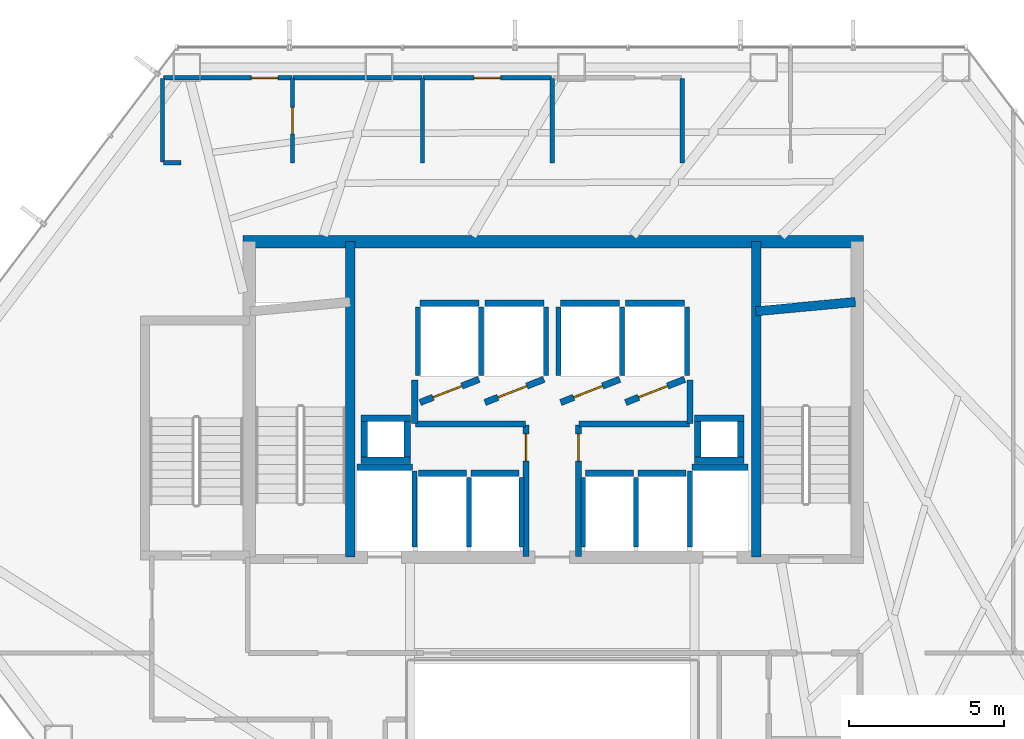
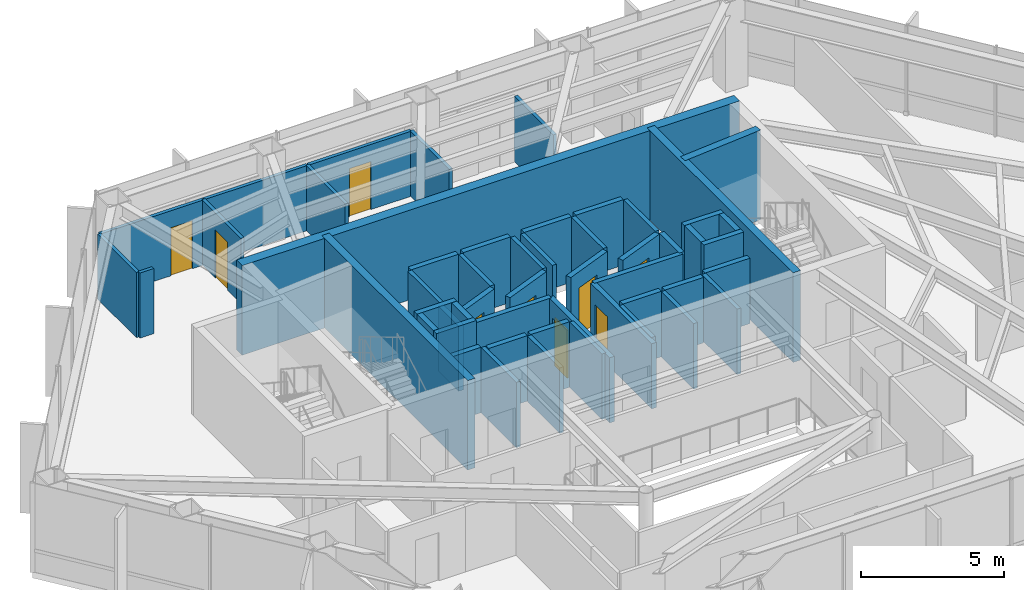
# One storey, part 22 of 24: 53 walls, 9 doors, 9 openings.
"""IFC4 building model written with IfcOpenShell, lengths in metres."""

import ifcopenshell
import ifcopenshell.guid

model = None  # the IFC model being written
_history = None  # IfcOwnerHistory: only IFC2X3 demands one
_inside = {}  # id of a spatial element -> (the spatial element, [elements in it])
_under = {}  # id of a project, library or spatial element -> (it, [spatial elements below it])
_declared = {}  # id of a project -> (the project, [libraries it declares])
_typed = {}  # id of a type object -> (the type object, [elements of that type])
_made_of = {}  # id of a material, layer set ... -> (it, [elements and type objects made of it])


def new_model(schema):
    """Start an empty IFC model of exactly this schema.

    Asked for "IFC4X3", IfcOpenShell would pick the latest addendum, in which some entities
    have other attributes; the version numbers below select the first issue.
    IFC2X3 requires an IfcOwnerHistory on every rooted entity: one is made here for all.
    """
    global model, _history
    if schema == "IFC4X3":
        model = ifcopenshell.file(schema_version=(4, 3, 0, 0))
    else:
        model = ifcopenshell.file(schema=schema)
    _inside.clear()
    _under.clear()
    _declared.clear()
    _typed.clear()
    _made_of.clear()
    _history = None
    if model.schema == "IFC2X3":
        org = make("IfcOrganization", Name="unknown")
        user = make(
            "IfcPersonAndOrganization",
            ThePerson=make("IfcPerson", FamilyName="unknown"),
            TheOrganization=org,
        )
        app = make(
            "IfcApplication",
            ApplicationDeveloper=org,
            Version="unknown",
            ApplicationFullName="unknown",
            ApplicationIdentifier="unknown",
        )
        _history = make(
            "IfcOwnerHistory",
            OwningUser=user,
            OwningApplication=app,
            ChangeAction="ADDED",
            CreationDate=0,
        )
    return model


def make(cls, **values):
    """One entity of the class cls with the attributes given. An attribute that is None is left unset."""
    return model.create_entity(
        cls, **{name: value for name, value in values.items() if value is not None}
    )


def rooted(cls, **values):
    """An entity with a GlobalId (a new one), such as an element, a storey or a relation."""
    return make(cls, GlobalId=ifcopenshell.guid.new(), OwnerHistory=_history, **values)


def si_unit(unit_type, name, prefix=None):
    """IfcSIUnit, for example si_unit("LENGTHUNIT", "METRE", prefix="MILLI")."""
    return make("IfcSIUnit", UnitType=unit_type, Prefix=prefix, Name=name)


def assignment(units):
    """IfcUnitAssignment: the units of a project."""
    return None if units is None else make("IfcUnitAssignment", Units=units)


def point(xyz):
    """IfcCartesianPoint."""
    return None if xyz is None else make("IfcCartesianPoint", Coordinates=xyz)


def direction(xyz):
    """IfcDirection."""
    return None if xyz is None else make("IfcDirection", DirectionRatios=xyz)


def frame(location, z_axis=None, x_axis=None):
    """IfcAxis2Placement3D, a coordinate frame: its origin and axes. An axis left out is left unset."""
    return make(
        "IfcAxis2Placement3D",
        Location=point(location),
        Axis=direction(z_axis),
        RefDirection=direction(x_axis),
    )


def frame_2d(location, x_axis=None):
    """IfcAxis2Placement2D, a coordinate frame in the plane: its origin and x axis."""
    return make(
        "IfcAxis2Placement2D", Location=point(location), RefDirection=direction(x_axis)
    )


def origin():
    """The frame at (0, 0, 0) with its axes left unset."""
    return frame((0.0, 0.0, 0.0))


def place(relative_to, where):
    """IfcLocalPlacement: puts the frame where relative to a parent placement (None: the world)."""
    return make(
        "IfcLocalPlacement", PlacementRelTo=relative_to, RelativePlacement=where
    )


def context(
    kind, dimensions, precision=None, world=None, true_north=None, identifier=None
):
    """IfcGeometricRepresentationContext, for example the 3D "Model" context."""
    return make(
        "IfcGeometricRepresentationContext",
        ContextIdentifier=identifier,
        ContextType=kind,
        CoordinateSpaceDimension=dimensions,
        Precision=precision,
        WorldCoordinateSystem=world,
        TrueNorth=true_north,
    )


def subcontext(parent, identifier, kind, view, scale=None):
    """IfcGeometricRepresentationSubContext, for example "Body" below "Model"."""
    return make(
        "IfcGeometricRepresentationSubContext",
        ContextIdentifier=identifier,
        ContextType=kind,
        ParentContext=parent,
        TargetScale=scale,
        TargetView=view,
    )


def project(units=None, contexts=None):
    """IfcProject with its units and contexts."""
    return rooted(
        "IfcProject",
        Name="project",
        RepresentationContexts=contexts,
        UnitsInContext=assignment(units),
    )


def spatial(cls, under=None, at=None, **own):
    """A site, building, storey or space (cls), placed at a placement, below another one or the project."""
    s = rooted(cls, ObjectPlacement=at, **own)
    if under is not None:
        _under.setdefault(under.id(), (under, []))[1].append(s)
    return s


def profile(cls, at=None, kind="AREA", **sizes):
    """A parametric profile (cls). Its sizes go by their IFC names, for example OverallWidth=200.0."""
    return make(cls, ProfileType=kind, Position=at, **sizes)


def rectangle(**sizes):
    """IfcRectangleProfileDef."""
    return profile("IfcRectangleProfileDef", **sizes)


def extrude(swept, where, along, depth):
    """IfcExtrudedAreaSolid: the profile swept, set in the frame where, extruded along a direction by depth."""
    return make(
        "IfcExtrudedAreaSolid",
        SweptArea=swept,
        Position=where,
        ExtrudedDirection=direction(along),
        Depth=depth,
    )


def shape(context_of_items, identifier, shape_type, items):
    """IfcShapeRepresentation: the items that make up one representation, for example the "Body"."""
    return make(
        "IfcShapeRepresentation",
        ContextOfItems=context_of_items,
        RepresentationIdentifier=identifier,
        RepresentationType=shape_type,
        Items=items,
    )


def material(Name=None, Category=None):
    """IfcMaterial."""
    return make("IfcMaterial", Name=Name, Category=Category)


def layer(
    of_material, thickness, ventilated=None, Name=None, Category=None, Priority=None
):
    """IfcMaterialLayer: one layer of a wall or slab, of a material (None: an air gap)."""
    return make(
        "IfcMaterialLayer",
        Material=of_material,
        LayerThickness=thickness,
        IsVentilated=ventilated,
        Name=Name,
        Category=Category,
        Priority=Priority,
    )


def layer_set(layers, Name=None):
    """IfcMaterialLayerSet."""
    return make("IfcMaterialLayerSet", MaterialLayers=layers, LayerSetName=Name)


def made_of(thing, what):
    """Note that an element or type object is made of a material, layer set ...; save() writes the relation."""
    if what is not None:
        _made_of.setdefault(what.id(), (what, []))[1].append(thing)
    return thing


def type_object(cls, material=None, **own):
    """A type object (cls), such as IfcWallType, which elements share."""
    return made_of(rooted(cls, **own), material)


def element(
    cls,
    number,
    at=None,
    inside=None,
    cuts=None,
    type_object=None,
    material=None,
    context=None,
    identifier="Body",
    shape_type=None,
    held_by="IfcProductDefinitionShape",
    body=None,
    shapes=None,
    **own,
):
    """One element of the class cls, such as IfcWall. Its Tag is "e" and its number.

    at: its placement. inside: the storey or other place that contains it. cuts: it is an
    opening in that element (IfcRelVoidsElement). A single representation is given by context,
    identifier, shape_type and body (its items); several are given by shapes. held_by: the class
    of the entity that holds the representations. save() writes the other relations.
    """
    e = rooted(cls, Tag="e%d" % number, ObjectPlacement=at, **own)
    if body is not None:
        shapes = [shape(context, identifier, shape_type, body)]
    if shapes is not None:
        e.Representation = make(held_by, Representations=shapes)
    if inside is not None:
        _inside.setdefault(inside.id(), (inside, []))[1].append(e)
    if cuts is not None:
        rooted(
            "IfcRelVoidsElement", RelatingBuildingElement=cuts, RelatedOpeningElement=e
        )
    if type_object is not None:
        _typed.setdefault(type_object.id(), (type_object, []))[1].append(e)
    return made_of(e, material)


def fill(opening, filler):
    """IfcRelFillsElement: the door or window that sits in an opening."""
    return rooted(
        "IfcRelFillsElement",
        RelatingOpeningElement=opening,
        RelatedBuildingElement=filler,
    )


def aggregate(whole, parts):
    """IfcRelAggregates: a whole, such as a stair, and the parts it consists of."""
    return rooted("IfcRelAggregates", RelatingObject=whole, RelatedObjects=parts)


def save(model, path):
    """Write the relations noted so far, then the file.

    IfcRelAggregates (storeys below a building ...), IfcRelContainedInSpatialStructure (elements
    in a storey), IfcRelDefinesByType, IfcRelAssociatesMaterial and IfcRelDeclares: one each for
    every whole, place, type object, material and project.
    """
    for whole, parts in _under.values():
        aggregate(whole, parts)
    for where, things in _inside.values():
        rooted(
            "IfcRelContainedInSpatialStructure",
            RelatedElements=things,
            RelatingStructure=where,
        )
    for kind, things in _typed.values():
        rooted("IfcRelDefinesByType", RelatedObjects=things, RelatingType=kind)
    for what, things in _made_of.values():
        rooted("IfcRelAssociatesMaterial", RelatedObjects=things, RelatingMaterial=what)
    for by, libraries in _declared.values():
        rooted("IfcRelDeclares", RelatingContext=by, RelatedDefinitions=libraries)
    model.write(path)


model = new_model("IFC4")

# Units and contexts
model_context = context("Model", 3, precision=1e-05, world=origin(), true_north=direction((0.0, 1.0)))
body_context = subcontext(model_context, "Body", "Model", "MODEL_VIEW")
ifc_project = project(units=[si_unit("LENGTHUNIT", "METRE"), si_unit("AREAUNIT", "SQUARE_METRE"), si_unit("VOLUMEUNIT", "CUBIC_METRE"), si_unit("PLANEANGLEUNIT", "RADIAN"), si_unit("MASSUNIT", "GRAM", prefix="KILO")], contexts=[model_context])

# Site, building, storey
site_placement = place(None, origin())
site = spatial("IfcSite", under=ifc_project, at=site_placement, CompositionType="ELEMENT")
building_placement = place(site_placement, origin())
building = spatial("IfcBuilding", under=site, at=building_placement, Name="Zarrinselat Tower", CompositionType="ELEMENT")
storey_placement = place(building_placement, frame((0.0, 0.0, 76.5)))
storey = spatial("IfcBuildingStorey", under=building, at=storey_placement, Name="L18", CompositionType="ELEMENT", Elevation=76.5)

# Wall, opening, door
ifc_material_1 = material(Name="Concrete C40/50", Category="concrete")
ifc_layer_1 = layer(ifc_material_1, 0.199951171875)
ifc_layer_set_1 = layer_set([ifc_layer_1], Name="Concrete C40/50")
wall_type_1 = type_object("IfcWallType", Name="WAL-PART-PLANT", PredefinedType="PARTITIONING", material=ifc_layer_set_1)
wall_1_placement = place(storey_placement, frame((37.550048828125, 33.264892578125, 0.0), z_axis=(0.0, 0.0, 1.0), x_axis=(0.0, 1.0, 0.0)))
wall_1 = element("IfcWall", 1, at=wall_1_placement, inside=storey, type_object=wall_type_1, Name="L18 Partition Wall 1", PredefinedType="PARTITIONING", context=body_context, shape_type="SweptSolid", body=[
    extrude(rectangle(XDim=4.26513671875, YDim=0.199951171875, at=frame_2d((2.132568359375, 0.0))), origin(), (0.0, 0.0, 1.0), 2.777099609375),
])
opening_1_placement = place(wall_1_placement, frame((3.092529296875, 0.0, 0.0)))
opening_1 = element("IfcOpeningElement", 2, at=opening_1_placement, cuts=wall_1, Name="Opening ID-03", PredefinedType="OPENING", context=body_context, shape_type="SweptSolid", body=[
    extrude(rectangle(XDim=0.8798828125, YDim=2.050048828125, at=frame_2d((0.43994140625, 1.02490234375))), frame((0.0, 0.10986328125, 0.0), z_axis=(0.0, -1.0, 0.0), x_axis=(1.0, 0.0, 0.0)), (0.0, 0.0, 1.0), 0.219970703125),
])
ifc_material_2 = material(Name="Steel S355J2", Category="steel")
door_type_1 = type_object("IfcDoorType", Name="DR-INT-FD60-S", OperationType="NOTDEFINED", PredefinedType="DOOR", material=ifc_material_2)
door_1_placement = place(opening_1_placement, origin())
door_1 = element("IfcDoor", 3, at=door_1_placement, inside=storey, type_object=door_type_1, Name="L18 Interior Door P1", OperationType="SINGLE_SWING_RIGHT", OverallHeight=2.050048828125, OverallWidth=0.8798828125, PredefinedType="DOOR", context=body_context, shape_type="SweptSolid", body=[
    extrude(rectangle(XDim=0.8798828125, YDim=2.050048828125, at=frame_2d((0.43994140625, 1.02490234375))), frame((0.0, 0.02490234375, 0.0), z_axis=(0.0, -1.0, 0.0), x_axis=(1.0, 0.0, 0.0)), (0.0, 0.0, 1.0), 0.050048828125),
])
fill(opening_1, door_1)

# Walls
wall_2_placement = place(storey_placement, frame((33.969970703125, 37.550048828125, 0.0), z_axis=(0.0, 0.0, 1.0), x_axis=(1.0, 0.0, 0.0)))
element("IfcWall", 4, at=wall_2_placement, inside=storey, type_object=wall_type_1, Name="L18 Partition Wall 2", PredefinedType="PARTITIONING", context=body_context, shape_type="SweptSolid", body=[
    extrude(rectangle(XDim=3.56005859375, YDim=0.199951171875, at=frame_2d((1.780029296875, 0.0))), origin(), (0.0, 0.0, 1.0), 2.777099609375),
])
for number, where, z_axis, x_axis, name in (
    (5, (33.949951171875, 37.570068359375, 0.0), (0.0, 0.0, 1.0), (0.0, 1.0, 0.0), "L18 Partition Wall 3"),
    (6, (42.85009765625, 37.570068359375, 0.0), (0.0, 0.0, 1.0), (0.0, 1.0, 0.0), "L18 Partition Wall 4"),
):
    element("IfcWall", number, at=place(storey_placement, frame(where, z_axis=z_axis, x_axis=x_axis)), inside=storey, type_object=wall_type_1, Name=name, PredefinedType="PARTITIONING", context=body_context, shape_type="SweptSolid", body=[
        extrude(rectangle(XDim=1.4150390625, YDim=0.199951171875, at=frame_2d((0.70751953125, 0.0))), origin(), (0.0, 0.0, 1.0), 2.777099609375),
    ])
wall_3_placement = place(storey_placement, frame((39.27001953125, 37.550048828125, 0.0), z_axis=(0.0, 0.0, 1.0), x_axis=(1.0, 0.0, 0.0)))
element("IfcWall", 7, at=wall_3_placement, inside=storey, type_object=wall_type_1, Name="L18 Partition Wall 5", PredefinedType="PARTITIONING", context=body_context, shape_type="SweptSolid", body=[
    extrude(rectangle(XDim=3.56005859375, YDim=0.199951171875, at=frame_2d((1.780029296875, 0.0))), origin(), (0.0, 0.0, 1.0), 2.777099609375),
])

# Wall, opening, door
wall_4_placement = place(storey_placement, frame((39.25, 33.264892578125, 0.0), z_axis=(0.0, 0.0, 1.0), x_axis=(0.0, 1.0, 0.0)))
wall_4 = element("IfcWall", 8, at=wall_4_placement, inside=storey, type_object=wall_type_1, Name="L18 Partition Wall 6", PredefinedType="PARTITIONING", context=body_context, shape_type="SweptSolid", body=[
    extrude(rectangle(XDim=4.26513671875, YDim=0.199951171875, at=frame_2d((2.132568359375, 0.0))), origin(), (0.0, 0.0, 1.0), 2.777099609375),
])
opening_2_placement = place(wall_4_placement, frame((3.092529296875, 0.0, 0.0)))
opening_2 = element("IfcOpeningElement", 9, at=opening_2_placement, cuts=wall_4, Name="Opening ID-03", PredefinedType="OPENING", context=body_context, shape_type="SweptSolid", body=[
    extrude(rectangle(XDim=0.8798828125, YDim=2.050048828125, at=frame_2d((0.43994140625, 1.02490234375))), frame((0.0, 0.10986328125, 0.0), z_axis=(0.0, -1.0, 0.0), x_axis=(1.0, 0.0, 0.0)), (0.0, 0.0, 1.0), 0.219970703125),
])
door_2_placement = place(opening_2_placement, origin())
door_2 = element("IfcDoor", 10, at=door_2_placement, inside=storey, type_object=door_type_1, Name="L18 Interior Door P6", OperationType="SINGLE_SWING_LEFT", OverallHeight=2.050048828125, OverallWidth=0.8798828125, PredefinedType="DOOR", context=body_context, shape_type="SweptSolid", body=[
    extrude(rectangle(XDim=0.8798828125, YDim=2.050048828125, at=frame_2d((0.43994140625, 1.02490234375))), frame((0.0, 0.02490234375, 0.0), z_axis=(0.0, -1.0, 0.0), x_axis=(1.0, 0.0, 0.0)), (0.0, 0.0, 1.0), 0.050048828125),
])
fill(opening_2, door_2)

ifc_material_3 = material(Name="Fire-Rated Gypsum Board Partition", Category="gypsum")
ifc_layer_2 = layer(ifc_material_3, 0.135009765625)
ifc_layer_set_2 = layer_set([ifc_layer_2], Name="Fire-Rated Gypsum Board Partition")
wall_type_2 = type_object("IfcWallType", Name="WAL-PART-WET", PredefinedType="PARTITIONING", material=ifc_layer_set_2)
wall_5_placement = place(storey_placement, frame((30.0, 46.0, 0.0), z_axis=(0.0, 0.0, 1.0), x_axis=(0.0, 1.0, 0.0)))
wall_5 = element("IfcWall", 11, at=wall_5_placement, inside=storey, type_object=wall_type_2, Name="L18 Partition Wall 32", PredefinedType="PARTITIONING", context=body_context, shape_type="SweptSolid", body=[
    extrude(rectangle(XDim=2.72998046875, YDim=0.135009765625, at=frame_2d((1.364990234375, 0.0))), origin(), (0.0, 0.0, 1.0), 2.777099609375),
])
opening_3_placement = place(wall_5_placement, frame((0.93505859375, 0.0, 0.0)))
opening_3 = element("IfcOpeningElement", 12, at=opening_3_placement, cuts=wall_5, Name="Opening ID-06", PredefinedType="OPENING", context=body_context, shape_type="SweptSolid", body=[
    extrude(rectangle(XDim=0.860107421875, YDim=2.050048828125, at=frame_2d((0.43017578125, 1.02490234375))), frame((0.0, 0.077392578125, 0.0), z_axis=(0.0, -1.0, 0.0), x_axis=(1.0, 0.0, 0.0)), (0.0, 0.0, 1.0), 0.155029296875),
])
ifc_material_4 = material(Name="Extruded Aluminium Alloy EN AW-6063 T6", Category="aluminium")
door_type_2 = type_object("IfcDoorType", Name="DR-INT-WET-900", OperationType="NOTDEFINED", PredefinedType="DOOR", material=ifc_material_4)
door_3_placement = place(opening_3_placement, origin())
door_3 = element("IfcDoor", 13, at=door_3_placement, inside=storey, type_object=door_type_2, Name="L18 Interior Door P32", OperationType="SINGLE_SWING_LEFT", OverallHeight=2.050048828125, OverallWidth=0.860107421875, PredefinedType="DOOR", context=body_context, shape_type="SweptSolid", body=[
    extrude(rectangle(XDim=0.860107421875, YDim=2.050048828125, at=frame_2d((0.43017578125, 1.02490234375))), frame((0.0, 0.02490234375, 0.0), z_axis=(0.0, -1.0, 0.0), x_axis=(1.0, 0.0, 0.0)), (0.0, 0.0, 1.0), 0.050048828125),
])
fill(opening_3, door_3)

# Wall
wall_6_placement = place(storey_placement, frame((25.800048828125, 46.02001953125, 0.0), z_axis=(0.0, 0.0, 1.0), x_axis=(0.0, 1.0, 0.0)))
element("IfcWall", 14, at=wall_6_placement, inside=storey, type_object=wall_type_2, Name="L18 Partition Wall 33", PredefinedType="PARTITIONING", context=body_context, shape_type="SweptSolid", body=[
    extrude(rectangle(XDim=2.7099609375, YDim=0.135009765625, at=frame_2d((1.35498046875, 0.0))), origin(), (0.0, 0.0, 1.0), 2.777099609375),
])

# Wall, opening, door
wall_7_placement = place(storey_placement, frame((25.820068359375, 48.75, 0.0), z_axis=(0.0, 0.0, 1.0), x_axis=(1.0, 0.0, 0.0)))
wall_7 = element("IfcWall", 15, at=wall_7_placement, inside=storey, type_object=wall_type_2, Name="L18 Partition Wall 34", PredefinedType="PARTITIONING", context=body_context, shape_type="SweptSolid", body=[
    extrude(rectangle(XDim=4.159912109375, YDim=0.135009765625, at=frame_2d((2.080078125, 0.0))), origin(), (0.0, 0.0, 1.0), 2.777099609375),
])
opening_4_placement = place(wall_7_placement, frame((2.85009765625, 0.0, 0.0)))
opening_4 = element("IfcOpeningElement", 16, at=opening_4_placement, cuts=wall_7, Name="Opening ID-06", PredefinedType="OPENING", context=body_context, shape_type="SweptSolid", body=[
    extrude(rectangle(XDim=0.860107421875, YDim=2.050048828125, at=frame_2d((0.43017578125, 1.02490234375))), frame((0.0, 0.077392578125, 0.0), z_axis=(0.0, -1.0, 0.0), x_axis=(1.0, 0.0, 0.0)), (0.0, 0.0, 1.0), 0.155029296875),
])
door_4_placement = place(opening_4_placement, origin())
door_4 = element("IfcDoor", 17, at=door_4_placement, inside=storey, type_object=door_type_2, Name="L18 Interior Door P34", OperationType="SINGLE_SWING_RIGHT", OverallHeight=2.050048828125, OverallWidth=0.860107421875, PredefinedType="DOOR", context=body_context, shape_type="SweptSolid", body=[
    extrude(rectangle(XDim=0.860107421875, YDim=2.050048828125, at=frame_2d((0.43017578125, 1.02490234375))), frame((0.0, 0.02490234375, 0.0), z_axis=(0.0, -1.0, 0.0), x_axis=(1.0, 0.0, 0.0)), (0.0, 0.0, 1.0), 0.050048828125),
])
fill(opening_4, door_4)

# Walls
wall_8_placement = place(storey_placement, frame((25.820068359375, 46.0, 0.0), z_axis=(0.0, 0.0, 1.0), x_axis=(1.0, 0.0, 0.0)))
element("IfcWall", 18, at=wall_8_placement, inside=storey, type_object=wall_type_2, Name="L18 Partition Wall 35", PredefinedType="PARTITIONING", context=body_context, shape_type="SweptSolid", body=[
    extrude(rectangle(XDim=0.570556640625, YDim=0.135009765625, at=frame_2d((0.28515625, 0.0))), origin(), (0.0, 0.0, 1.0), 2.777099609375),
])
wall_9_placement = place(storey_placement, frame((34.199951171875, 46.0, 0.0), z_axis=(0.0, 0.0, 1.0), x_axis=(0.0, 1.0, 0.0)))
element("IfcWall", 19, at=wall_9_placement, inside=storey, type_object=wall_type_2, Name="L18 Partition Wall 36", PredefinedType="PARTITIONING", context=body_context, shape_type="SweptSolid", body=[
    extrude(rectangle(XDim=2.72998046875, YDim=0.135009765625, at=frame_2d((1.364990234375, 0.0))), origin(), (0.0, 0.0, 1.0), 2.777099609375),
])
wall_10_placement = place(storey_placement, frame((30.02001953125, 48.75, 0.0), z_axis=(0.0, 0.0, 1.0), x_axis=(1.0, 0.0, 0.0)))
element("IfcWall", 20, at=wall_10_placement, inside=storey, type_object=wall_type_2, Name="L18 Partition Wall 37", PredefinedType="PARTITIONING", context=body_context, shape_type="SweptSolid", body=[
    extrude(rectangle(XDim=4.159912109375, YDim=0.135009765625, at=frame_2d((2.080078125, 0.0))), origin(), (0.0, 0.0, 1.0), 2.777099609375),
])
wall_11_placement = place(storey_placement, frame((38.39990234375, 46.0, 0.0), z_axis=(0.0, 0.0, 1.0), x_axis=(0.0, 1.0, 0.0)))
element("IfcWall", 21, at=wall_11_placement, inside=storey, type_object=wall_type_2, Name="L18 Partition Wall 38", PredefinedType="PARTITIONING", context=body_context, shape_type="SweptSolid", body=[
    extrude(rectangle(XDim=2.72998046875, YDim=0.135009765625, at=frame_2d((1.364990234375, 0.0))), origin(), (0.0, 0.0, 1.0), 2.777099609375),
])

# Wall, opening, door
wall_12_placement = place(storey_placement, frame((34.219970703125, 48.75, 0.0), z_axis=(0.0, 0.0, 1.0), x_axis=(1.0, 0.0, 0.0)))
wall_12 = element("IfcWall", 22, at=wall_12_placement, inside=storey, type_object=wall_type_2, Name="L18 Partition Wall 39", PredefinedType="PARTITIONING", context=body_context, shape_type="SweptSolid", body=[
    extrude(rectangle(XDim=4.159912109375, YDim=0.135009765625, at=frame_2d((2.080078125, 0.0))), origin(), (0.0, 0.0, 1.0), 2.777099609375),
])
opening_5_placement = place(wall_12_placement, frame((1.64990234375, 0.0, 0.0)))
opening_5 = element("IfcOpeningElement", 23, at=opening_5_placement, cuts=wall_12, Name="Opening ID-06", PredefinedType="OPENING", context=body_context, shape_type="SweptSolid", body=[
    extrude(rectangle(XDim=0.860107421875, YDim=2.050048828125, at=frame_2d((0.43017578125, 1.02490234375))), frame((0.0, 0.077392578125, 0.0), z_axis=(0.0, -1.0, 0.0), x_axis=(1.0, 0.0, 0.0)), (0.0, 0.0, 1.0), 0.155029296875),
])
door_5_placement = place(opening_5_placement, origin())
door_5 = element("IfcDoor", 24, at=door_5_placement, inside=storey, type_object=door_type_2, Name="L18 Interior Door P39", OperationType="SINGLE_SWING_LEFT", OverallHeight=2.050048828125, OverallWidth=0.860107421875, PredefinedType="DOOR", context=body_context, shape_type="SweptSolid", body=[
    extrude(rectangle(XDim=0.860107421875, YDim=2.050048828125, at=frame_2d((0.43017578125, 1.02490234375))), frame((0.0, 0.02490234375, 0.0), z_axis=(0.0, -1.0, 0.0), x_axis=(1.0, 0.0, 0.0)), (0.0, 0.0, 1.0), 0.050048828125),
])
fill(opening_5, door_5)

# Walls
wall_13_placement = place(storey_placement, frame((42.60009765625, 46.0, 0.0), z_axis=(0.0, 0.0, 1.0), x_axis=(0.0, 1.0, 0.0)))
element("IfcWall", 25, at=wall_13_placement, inside=storey, type_object=wall_type_2, Name="L18 Partition Wall 41", PredefinedType="PARTITIONING", context=body_context, shape_type="SweptSolid", body=[
    extrude(rectangle(XDim=2.72998046875, YDim=0.135009765625, at=frame_2d((1.364990234375, 0.0))), origin(), (0.0, 0.0, 1.0), 2.777099609375),
])
ifc_material_5 = material(Name="Concrete C40/50", Category="concrete")
ifc_layer_3 = layer(ifc_material_5, 0.2099609375)
ifc_layer_set_3 = layer_set([ifc_layer_3], Name="Concrete C40/50")
wall_type_3 = type_object("IfcWallType", Name="WAL-SHAFT-210", PredefinedType="SOLIDWALL", material=ifc_layer_set_3)
wall_14_placement = place(storey_placement, frame((32.080078125, 36.155029296875, 0.0), z_axis=(0.0, 0.0, 1.0), x_axis=(1.0, 0.0, 0.0)))
element("IfcWall", 26, at=wall_14_placement, inside=storey, type_object=wall_type_3, Name="L18 Lift FFL1 North Shaft Wall", PredefinedType="SOLIDWALL", context=body_context, shape_type="SweptSolid", body=[
    extrude(rectangle(XDim=1.7998046875, YDim=0.2099609375, at=frame_2d((0.89990234375, 0.0))), origin(), (0.0, 0.0, 1.0), 2.7919921875),
])
wall_15_placement = place(storey_placement, frame((33.949951171875, 33.580078125, 0.0), z_axis=(0.0, 0.0, 1.0), x_axis=(0.0, 1.0, 0.0)))
element("IfcWall", 27, at=wall_15_placement, inside=storey, type_object=wall_type_3, Name="L18 Lift FFL1 E Shaft Wall", PredefinedType="SOLIDWALL", context=body_context, shape_type="SweptSolid", body=[
    extrude(rectangle(XDim=2.449951171875, YDim=0.159912109375, at=frame_2d((1.22509765625, 0.0))), origin(), (0.0, 0.0, 1.0), 2.7919921875),
])
wall_16_placement = place(storey_placement, frame((42.919921875, 36.155029296875, 0.0), z_axis=(0.0, 0.0, 1.0), x_axis=(1.0, 0.0, 0.0)))
element("IfcWall", 28, at=wall_16_placement, inside=storey, type_object=wall_type_3, Name="L18 Lift FFL2 North Shaft Wall", PredefinedType="SOLIDWALL", context=body_context, shape_type="SweptSolid", body=[
    extrude(rectangle(XDim=1.800048828125, YDim=0.2099609375, at=frame_2d((0.89990234375, 0.0))), origin(), (0.0, 0.0, 1.0), 2.7919921875),
])
wall_17_placement = place(storey_placement, frame((42.85009765625, 33.580078125, 0.0), z_axis=(0.0, 0.0, 1.0), x_axis=(0.0, 1.0, 0.0)))
element("IfcWall", 29, at=wall_17_placement, inside=storey, type_object=wall_type_3, Name="L18 Lift FFL2 W Shaft Wall", PredefinedType="SOLIDWALL", context=body_context, shape_type="SweptSolid", body=[
    extrude(rectangle(XDim=2.449951171875, YDim=0.159912109375, at=frame_2d((1.22509765625, 0.0))), origin(), (0.0, 0.0, 1.0), 2.7919921875),
])

# Wall, opening, door
wall_18_placement = place(storey_placement, frame((34.1201171875, 38.25, 0.0), z_axis=(0.0, 0.0, 1.0), x_axis=(0.930804993012, 0.36551616241, 0.0)))
wall_18 = element("IfcWall", 30, at=wall_18_placement, inside=storey, type_object=wall_type_3, Name="L18 Lift PL1 Front Shaft Wall", PredefinedType="SOLIDWALL", context=body_context, shape_type="SweptSolid", body=[
    extrude(rectangle(XDim=2.052001953125, YDim=0.2099609375, at=frame_2d((1.02587890625, 0.0))), origin(), (0.0, 0.0, 1.0), 2.7919921875),
])
opening_6_placement = place(wall_18_placement, frame((0.455078125, 0.0, 0.0)))
opening_6 = element("IfcOpeningElement", 31, at=opening_6_placement, cuts=wall_18, Name="Opening LD-PL1", PredefinedType="OPENING", context=body_context, shape_type="SweptSolid", body=[
    extrude(rectangle(XDim=1.0, YDim=2.10009765625, at=frame_2d((0.5, 1.050048828125))), frame((0.0, 0.114990234375, 0.0), z_axis=(0.0, -1.0, 0.0), x_axis=(1.0, 0.0, 0.0)), (0.0, 0.0, 1.0), 0.22998046875),
])
ifc_material_6 = material(Name="Steel S355J2", Category="steel")
door_type_3 = type_object("IfcDoorType", Name="DR-LIFT-PS-1000", OperationType="NOTDEFINED", PredefinedType="DOOR", material=ifc_material_6)
door_6_placement = place(opening_6_placement, origin())
door_6 = element("IfcDoor", 32, at=door_6_placement, inside=storey, type_object=door_type_3, Name="L18 Lift PL1 Sliding Landing Door", OperationType="SLIDING_TO_LEFT", OverallHeight=2.10009765625, OverallWidth=1.0, PredefinedType="DOOR", context=body_context, shape_type="SweptSolid", body=[
    extrude(rectangle(XDim=1.0, YDim=2.10009765625, at=frame_2d((0.5, 1.050048828125))), frame((0.0, 0.02490234375, 0.0), z_axis=(0.0, -1.0, 0.0), x_axis=(1.0, 0.0, 0.0)), (0.0, 0.0, 1.0), 0.050048828125),
])
fill(opening_6, door_6)

# Walls
wall_19_placement = place(storey_placement, frame((34.1201171875, 41.455078125, 0.0), z_axis=(0.0, 0.0, 1.0), x_axis=(1.0, 0.0, 0.0)))
element("IfcWall", 33, at=wall_19_placement, inside=storey, type_object=wall_type_3, Name="L18 Lift PL1 Rear Shaft Wall", PredefinedType="SOLIDWALL", context=body_context, shape_type="SweptSolid", body=[
    extrude(rectangle(XDim=1.909912109375, YDim=0.2099609375, at=frame_2d((0.955078125, 0.0))), origin(), (0.0, 0.0, 1.0), 2.7919921875),
])
for number, where, z_axis, x_axis, name in (
    (34, (34.050048828125, 39.1201171875, 0.0), (0.0, 0.0, 1.0), (0.0, 1.0, 0.0), "L18 Lift PL1 W Shaft Wall"),
    (35, (36.10009765625, 39.1201171875, 0.0), (0.0, 0.0, 1.0), (0.0, 1.0, 0.0), "L18 Lift PL1 E Shaft Wall"),
):
    element("IfcWall", number, at=place(storey_placement, frame(where, z_axis=z_axis, x_axis=x_axis)), inside=storey, type_object=wall_type_3, Name=name, PredefinedType="SOLIDWALL", context=body_context, shape_type="SweptSolid", body=[
        extrude(rectangle(XDim=2.2099609375, YDim=0.159912109375, at=frame_2d((1.10498046875, 0.0))), origin(), (0.0, 0.0, 1.0), 2.7919921875),
    ])

# Wall, opening, door
wall_20_placement = place(storey_placement, frame((36.219970703125, 38.25, 0.0), z_axis=(0.0, 0.0, 1.0), x_axis=(0.930804993012, 0.36551616241, 0.0)))
wall_20 = element("IfcWall", 36, at=wall_20_placement, inside=storey, type_object=wall_type_3, Name="L18 Lift PL2 Front Shaft Wall", PredefinedType="SOLIDWALL", context=body_context, shape_type="SweptSolid", body=[
    extrude(rectangle(XDim=2.052001953125, YDim=0.2099609375, at=frame_2d((1.02587890625, 0.0))), origin(), (0.0, 0.0, 1.0), 2.7919921875),
])
opening_7_placement = place(wall_20_placement, frame((0.455078125, 0.0, 0.0)))
opening_7 = element("IfcOpeningElement", 37, at=opening_7_placement, cuts=wall_20, Name="Opening LD-PL2", PredefinedType="OPENING", context=body_context, shape_type="SweptSolid", body=[
    extrude(rectangle(XDim=1.0, YDim=2.10009765625, at=frame_2d((0.5, 1.050048828125))), frame((0.0, 0.114990234375, 0.0), z_axis=(0.0, -1.0, 0.0), x_axis=(1.0, 0.0, 0.0)), (0.0, 0.0, 1.0), 0.22998046875),
])
door_7_placement = place(opening_7_placement, origin())
door_7 = element("IfcDoor", 38, at=door_7_placement, inside=storey, type_object=door_type_3, Name="L18 Lift PL2 Sliding Landing Door", OperationType="SLIDING_TO_RIGHT", OverallHeight=2.10009765625, OverallWidth=1.0, PredefinedType="DOOR", context=body_context, shape_type="SweptSolid", body=[
    extrude(rectangle(XDim=1.0, YDim=2.10009765625, at=frame_2d((0.5, 1.050048828125))), frame((0.0, 0.02490234375, 0.0), z_axis=(0.0, -1.0, 0.0), x_axis=(1.0, 0.0, 0.0)), (0.0, 0.0, 1.0), 0.050048828125),
])
fill(opening_7, door_7)

# Walls
wall_21_placement = place(storey_placement, frame((36.219970703125, 41.455078125, 0.0), z_axis=(0.0, 0.0, 1.0), x_axis=(1.0, 0.0, 0.0)))
element("IfcWall", 39, at=wall_21_placement, inside=storey, type_object=wall_type_3, Name="L18 Lift PL2 Rear Shaft Wall", PredefinedType="SOLIDWALL", context=body_context, shape_type="SweptSolid", body=[
    extrude(rectangle(XDim=1.909912109375, YDim=0.2099609375, at=frame_2d((0.955078125, 0.0))), origin(), (0.0, 0.0, 1.0), 2.7919921875),
])
wall_22_placement = place(storey_placement, frame((38.199951171875, 39.1201171875, 0.0), z_axis=(0.0, 0.0, 1.0), x_axis=(0.0, 1.0, 0.0)))
element("IfcWall", 40, at=wall_22_placement, inside=storey, type_object=wall_type_3, Name="L18 Lift PL2 E Shaft Wall", PredefinedType="SOLIDWALL", context=body_context, shape_type="SweptSolid", body=[
    extrude(rectangle(XDim=2.2099609375, YDim=0.159912109375, at=frame_2d((1.10498046875, 0.0))), origin(), (0.0, 0.0, 1.0), 2.7919921875),
])

# Wall, opening, door
wall_23_placement = place(storey_placement, frame((38.669921875, 38.25, 0.0), z_axis=(0.0, 0.0, 1.0), x_axis=(0.930820886763, 0.3654756856, 0.0)))
wall_23 = element("IfcWall", 41, at=wall_23_placement, inside=storey, type_object=wall_type_3, Name="L18 Lift PL3 Front Shaft Wall", PredefinedType="SOLIDWALL", context=body_context, shape_type="SweptSolid", body=[
    extrude(rectangle(XDim=2.052001953125, YDim=0.2099609375, at=frame_2d((1.02587890625, 0.0))), origin(), (0.0, 0.0, 1.0), 2.7919921875),
])
opening_8_placement = place(wall_23_placement, frame((0.455078125, 0.0, 0.0)))
opening_8 = element("IfcOpeningElement", 42, at=opening_8_placement, cuts=wall_23, Name="Opening LD-PL3", PredefinedType="OPENING", context=body_context, shape_type="SweptSolid", body=[
    extrude(rectangle(XDim=1.0, YDim=2.10009765625, at=frame_2d((0.5, 1.050048828125))), frame((0.0, 0.114990234375, 0.0), z_axis=(0.0, -1.0, 0.0), x_axis=(1.0, 0.0, 0.0)), (0.0, 0.0, 1.0), 0.22998046875),
])
door_8_placement = place(opening_8_placement, origin())
door_8 = element("IfcDoor", 43, at=door_8_placement, inside=storey, type_object=door_type_3, Name="L18 Lift PL3 Sliding Landing Door", OperationType="SLIDING_TO_LEFT", OverallHeight=2.10009765625, OverallWidth=1.0, PredefinedType="DOOR", context=body_context, shape_type="SweptSolid", body=[
    extrude(rectangle(XDim=1.0, YDim=2.10009765625, at=frame_2d((0.5, 1.050048828125))), frame((0.0, 0.02490234375, 0.0), z_axis=(0.0, -1.0, 0.0), x_axis=(1.0, 0.0, 0.0)), (0.0, 0.0, 1.0), 0.050048828125),
])
fill(opening_8, door_8)

# Walls
wall_24_placement = place(storey_placement, frame((38.669921875, 41.455078125, 0.0), z_axis=(0.0, 0.0, 1.0), x_axis=(1.0, 0.0, 0.0)))
element("IfcWall", 44, at=wall_24_placement, inside=storey, type_object=wall_type_3, Name="L18 Lift PL3 Rear Shaft Wall", PredefinedType="SOLIDWALL", context=body_context, shape_type="SweptSolid", body=[
    extrude(rectangle(XDim=1.91015625, YDim=0.2099609375, at=frame_2d((0.955078125, 0.0))), origin(), (0.0, 0.0, 1.0), 2.7919921875),
])
for number, where, z_axis, x_axis, name in (
    (45, (38.60009765625, 39.1201171875, 0.0), (0.0, 0.0, 1.0), (0.0, 1.0, 0.0), "L18 Lift PL3 W Shaft Wall"),
    (46, (40.64990234375, 39.1201171875, 0.0), (0.0, 0.0, 1.0), (0.0, 1.0, 0.0), "L18 Lift PL3 E Shaft Wall"),
):
    element("IfcWall", number, at=place(storey_placement, frame(where, z_axis=z_axis, x_axis=x_axis)), inside=storey, type_object=wall_type_3, Name=name, PredefinedType="SOLIDWALL", context=body_context, shape_type="SweptSolid", body=[
        extrude(rectangle(XDim=2.2099609375, YDim=0.159912109375, at=frame_2d((1.10498046875, 0.0))), origin(), (0.0, 0.0, 1.0), 2.7919921875),
    ])

# Wall, opening, door
wall_25_placement = place(storey_placement, frame((40.77001953125, 38.25, 0.0), z_axis=(0.0, 0.0, 1.0), x_axis=(0.930804993012, 0.36551616241, 0.0)))
wall_25 = element("IfcWall", 47, at=wall_25_placement, inside=storey, type_object=wall_type_3, Name="L18 Lift PL4 Front Shaft Wall", PredefinedType="SOLIDWALL", context=body_context, shape_type="SweptSolid", body=[
    extrude(rectangle(XDim=2.052001953125, YDim=0.2099609375, at=frame_2d((1.02587890625, 0.0))), origin(), (0.0, 0.0, 1.0), 2.7919921875),
])
opening_9_placement = place(wall_25_placement, frame((0.455078125, 0.0, 0.0)))
opening_9 = element("IfcOpeningElement", 48, at=opening_9_placement, cuts=wall_25, Name="Opening LD-PL4", PredefinedType="OPENING", context=body_context, shape_type="SweptSolid", body=[
    extrude(rectangle(XDim=1.0, YDim=2.10009765625, at=frame_2d((0.5, 1.050048828125))), frame((0.0, 0.114990234375, 0.0), z_axis=(0.0, -1.0, 0.0), x_axis=(1.0, 0.0, 0.0)), (0.0, 0.0, 1.0), 0.22998046875),
])
door_9_placement = place(opening_9_placement, origin())
door_9 = element("IfcDoor", 49, at=door_9_placement, inside=storey, type_object=door_type_3, Name="L18 Lift PL4 Sliding Landing Door", OperationType="SLIDING_TO_RIGHT", OverallHeight=2.10009765625, OverallWidth=1.0, PredefinedType="DOOR", context=body_context, shape_type="SweptSolid", body=[
    extrude(rectangle(XDim=1.0, YDim=2.10009765625, at=frame_2d((0.5, 1.050048828125))), frame((0.0, 0.02490234375, 0.0), z_axis=(0.0, -1.0, 0.0), x_axis=(1.0, 0.0, 0.0)), (0.0, 0.0, 1.0), 0.050048828125),
])
fill(opening_9, door_9)

# Walls
wall_26_placement = place(storey_placement, frame((40.77001953125, 41.455078125, 0.0), z_axis=(0.0, 0.0, 1.0), x_axis=(1.0, 0.0, 0.0)))
element("IfcWall", 50, at=wall_26_placement, inside=storey, type_object=wall_type_3, Name="L18 Lift PL4 Rear Shaft Wall", PredefinedType="SOLIDWALL", context=body_context, shape_type="SweptSolid", body=[
    extrude(rectangle(XDim=1.909912109375, YDim=0.2099609375, at=frame_2d((0.955078125, 0.0))), origin(), (0.0, 0.0, 1.0), 2.7919921875),
])
wall_27_placement = place(storey_placement, frame((42.75, 39.1201171875, 0.0), z_axis=(0.0, 0.0, 1.0), x_axis=(0.0, 1.0, 0.0)))
element("IfcWall", 51, at=wall_27_placement, inside=storey, type_object=wall_type_3, Name="L18 Lift PL4 E Shaft Wall", PredefinedType="SOLIDWALL", context=body_context, shape_type="SweptSolid", body=[
    extrude(rectangle(XDim=2.2099609375, YDim=0.159912109375, at=frame_2d((1.10498046875, 0.0))), origin(), (0.0, 0.0, 1.0), 2.7919921875),
])
wall_28_placement = place(storey_placement, frame((34.070068359375, 35.955078125, 0.0), z_axis=(0.0, 0.0, 1.0), x_axis=(1.0, 0.0, 0.0)))
element("IfcWall", 52, at=wall_28_placement, inside=storey, type_object=wall_type_3, Name="L18 Lift PL5 North Shaft Wall", PredefinedType="SOLIDWALL", context=body_context, shape_type="SweptSolid", body=[
    extrude(rectangle(XDim=1.559814453125, YDim=0.2099609375, at=frame_2d((0.77978515625, 0.0))), origin(), (0.0, 0.0, 1.0), 2.7919921875),
])
wall_29_placement = place(storey_placement, frame((35.699951171875, 33.580078125, 0.0), z_axis=(0.0, 0.0, 1.0), x_axis=(0.0, 1.0, 0.0)))
element("IfcWall", 53, at=wall_29_placement, inside=storey, type_object=wall_type_3, Name="L18 Lift PL5 E Shaft Wall", PredefinedType="SOLIDWALL", context=body_context, shape_type="SweptSolid", body=[
    extrude(rectangle(XDim=2.25, YDim=0.159912109375, at=frame_2d((1.125, 0.0))), origin(), (0.0, 0.0, 1.0), 2.7919921875),
])
wall_30_placement = place(storey_placement, frame((35.77001953125, 35.955078125, 0.0), z_axis=(0.0, 0.0, 1.0), x_axis=(1.0, 0.0, 0.0)))
element("IfcWall", 54, at=wall_30_placement, inside=storey, type_object=wall_type_3, Name="L18 Lift PL6 North Shaft Wall", PredefinedType="SOLIDWALL", context=body_context, shape_type="SweptSolid", body=[
    extrude(rectangle(XDim=1.56005859375, YDim=0.2099609375, at=frame_2d((0.780029296875, 0.0))), origin(), (0.0, 0.0, 1.0), 2.7919921875),
])
wall_31_placement = place(storey_placement, frame((37.39990234375, 33.580078125, 0.0), z_axis=(0.0, 0.0, 1.0), x_axis=(0.0, 1.0, 0.0)))
element("IfcWall", 55, at=wall_31_placement, inside=storey, type_object=wall_type_3, Name="L18 Lift PL6 E Shaft Wall", PredefinedType="SOLIDWALL", context=body_context, shape_type="SweptSolid", body=[
    extrude(rectangle(XDim=2.25, YDim=0.159912109375, at=frame_2d((1.125, 0.0))), origin(), (0.0, 0.0, 1.0), 2.7919921875),
])
wall_32_placement = place(storey_placement, frame((39.469970703125, 35.955078125, 0.0), z_axis=(0.0, 0.0, 1.0), x_axis=(1.0, 0.0, 0.0)))
element("IfcWall", 56, at=wall_32_placement, inside=storey, type_object=wall_type_3, Name="L18 Lift PL8 North Shaft Wall", PredefinedType="SOLIDWALL", context=body_context, shape_type="SweptSolid", body=[
    extrude(rectangle(XDim=1.56005859375, YDim=0.2099609375, at=frame_2d((0.780029296875, 0.0))), origin(), (0.0, 0.0, 1.0), 2.7919921875),
])
for number, where, z_axis, x_axis, name in (
    (57, (39.39990234375, 33.580078125, 0.0), (0.0, 0.0, 1.0), (0.0, 1.0, 0.0), "L18 Lift PL8 W Shaft Wall"),
    (58, (41.10009765625, 33.580078125, 0.0), (0.0, 0.0, 1.0), (0.0, 1.0, 0.0), "L18 Lift PL8 E Shaft Wall"),
):
    element("IfcWall", number, at=place(storey_placement, frame(where, z_axis=z_axis, x_axis=x_axis)), inside=storey, type_object=wall_type_3, Name=name, PredefinedType="SOLIDWALL", context=body_context, shape_type="SweptSolid", body=[
        extrude(rectangle(XDim=2.25, YDim=0.159912109375, at=frame_2d((1.125, 0.0))), origin(), (0.0, 0.0, 1.0), 2.7919921875),
    ])
wall_33_placement = place(storey_placement, frame((41.169921875, 35.955078125, 0.0), z_axis=(0.0, 0.0, 1.0), x_axis=(1.0, 0.0, 0.0)))
element("IfcWall", 59, at=wall_33_placement, inside=storey, type_object=wall_type_3, Name="L18 Lift PL9 North Shaft Wall", PredefinedType="SOLIDWALL", context=body_context, shape_type="SweptSolid", body=[
    extrude(rectangle(XDim=1.56005859375, YDim=0.2099609375, at=frame_2d((0.780029296875, 0.0))), origin(), (0.0, 0.0, 1.0), 2.7919921875),
])
for number, where, z_axis, x_axis, name in (
    (60, (32.2099609375, 36.375, 0.0), (0.0, 0.0, 1.0), (1.0, 0.0, 0.0), "L18 Core Riser RSR-W S Shaft Wall"),
    (61, (32.2099609375, 37.7451171875, 0.0), (0.0, 0.0, 1.0), (1.0, 0.0, 0.0), "L18 Core Riser RSR-W N Shaft Wall"),
):
    element("IfcWall", number, at=place(storey_placement, frame(where, z_axis=z_axis, x_axis=x_axis)), inside=storey, type_object=wall_type_3, Name=name, PredefinedType="SOLIDWALL", context=body_context, shape_type="SweptSolid", body=[
        extrude(rectangle(XDim=1.60009765625, YDim=0.2099609375, at=frame_2d((0.800048828125, 0.0))), origin(), (0.0, 0.0, 1.0), 3.820068359375),
    ])
for number, where, z_axis, x_axis, name in (
    (62, (32.31494140625, 36.485107421875, 0.0), (0.0, 0.0, 1.0), (0.0, 1.0, 0.0), "L18 Core Riser RSR-W W Shaft Wall"),
    (63, (33.705078125, 36.485107421875, 0.0), (0.0, 0.0, 1.0), (0.0, 1.0, 0.0), "L18 Core Riser RSR-W E Shaft Wall"),
):
    element("IfcWall", number, at=place(storey_placement, frame(where, z_axis=z_axis, x_axis=x_axis)), inside=storey, type_object=wall_type_3, Name=name, PredefinedType="SOLIDWALL", context=body_context, shape_type="SweptSolid", body=[
        extrude(rectangle(XDim=1.14990234375, YDim=0.2099609375, at=frame_2d((0.574951171875, 0.0))), origin(), (0.0, 0.0, 1.0), 3.820068359375),
    ])
for number, where, z_axis, x_axis, name in (
    (64, (42.989990234375, 36.375, 0.0), (0.0, 0.0, 1.0), (1.0, 0.0, 0.0), "L18 Core Riser RSR-E S Shaft Wall"),
    (65, (42.989990234375, 37.7451171875, 0.0), (0.0, 0.0, 1.0), (1.0, 0.0, 0.0), "L18 Core Riser RSR-E N Shaft Wall"),
):
    element("IfcWall", number, at=place(storey_placement, frame(where, z_axis=z_axis, x_axis=x_axis)), inside=storey, type_object=wall_type_3, Name=name, PredefinedType="SOLIDWALL", context=body_context, shape_type="SweptSolid", body=[
        extrude(rectangle(XDim=1.60009765625, YDim=0.2099609375, at=frame_2d((0.800048828125, 0.0))), origin(), (0.0, 0.0, 1.0), 3.820068359375),
    ])
for number, where, z_axis, x_axis, name in (
    (66, (43.094970703125, 36.485107421875, 0.0), (0.0, 0.0, 1.0), (0.0, 1.0, 0.0), "L18 Core Riser RSR-E W Shaft Wall"),
    (67, (44.485107421875, 36.485107421875, 0.0), (0.0, 0.0, 1.0), (0.0, 1.0, 0.0), "L18 Core Riser RSR-E E Shaft Wall"),
):
    element("IfcWall", number, at=place(storey_placement, frame(where, z_axis=z_axis, x_axis=x_axis)), inside=storey, type_object=wall_type_3, Name=name, PredefinedType="SOLIDWALL", context=body_context, shape_type="SweptSolid", body=[
        extrude(rectangle(XDim=1.14990234375, YDim=0.2099609375, at=frame_2d((0.574951171875, 0.0))), origin(), (0.0, 0.0, 1.0), 3.820068359375),
    ])
ifc_material_7 = material(Name="Concrete C40/50", Category="concrete")
ifc_layer_4 = layer(ifc_material_7, 0.300048828125)
ifc_layer_set_4 = layer_set([ifc_layer_4], Name="Concrete C40/50")
wall_type_4 = type_object("IfcWallType", Name="WAL-SHEAR-300", PredefinedType="SHEAR", material=ifc_layer_set_4)
for number, where, z_axis, x_axis, name in (
    (68, (31.8701171875, 33.25, 0.0), (0.0, 0.0, 1.0), (0.0, 1.0, 0.0), "L18 Core Shear Wall ST1E"),
    (69, (44.989990234375, 33.25, 0.0), (0.0, 0.0, 1.0), (0.0, 1.0, 0.0), "L18 Core Shear Wall ST2W"),
):
    element("IfcWall", number, at=place(storey_placement, frame(where, z_axis=z_axis, x_axis=x_axis)), inside=storey, type_object=wall_type_4, Name=name, PredefinedType="SHEAR", context=body_context, shape_type="SweptSolid", body=[
        extrude(rectangle(XDim=10.199951171875, YDim=0.300048828125, at=frame_2d((5.10009765625, 0.0))), origin(), (0.0, 0.0, 1.0), 3.820068359375),
    ])
wall_34_placement = place(storey_placement, frame((44.97998046875, 41.199951171875, 0.0), z_axis=(0.0, 0.0, 1.0), x_axis=(0.995686468965, 0.09278176286, 0.0)))
element("IfcWall", 70, at=wall_34_placement, inside=storey, type_object=wall_type_4, Name="L18 Stair 2 North Shaft Wall", PredefinedType="SHEAR", context=body_context, shape_type="SweptSolid", body=[
    extrude(rectangle(XDim=3.23388671875, YDim=0.300048828125, at=frame_2d((1.616943359375, 0.0))), origin(), (0.0, 0.0, 1.0), 3.820068359375),
])
ifc_material_8 = material(Name="Concrete C60/75", Category="concrete")
ifc_layer_5 = layer(ifc_material_8, 0.39990234375)
ifc_layer_set_5 = layer_set([ifc_layer_5], Name="Concrete C60/75")
wall_type_5 = type_object("IfcWallType", Name="WAL-SHEAR-400", PredefinedType="SHEAR", material=ifc_layer_set_5)
wall_35_placement = place(storey_placement, frame((28.39990234375, 43.449951171875, 0.0), z_axis=(0.0, 0.0, 1.0), x_axis=(1.0, 0.0, 0.0)))
element("IfcWall", 71, at=wall_35_placement, inside=storey, type_object=wall_type_5, Name="L18 North Core Shear Wall", PredefinedType="SHEAR", context=body_context, shape_type="SweptSolid", body=[
    extrude(rectangle(XDim=20.06005859375, YDim=0.39990234375, at=frame_2d((10.030029296875, 0.0))), origin(), (0.0, 0.0, 1.0), 3.820068359375),
])

save(model, "model.ifc")
